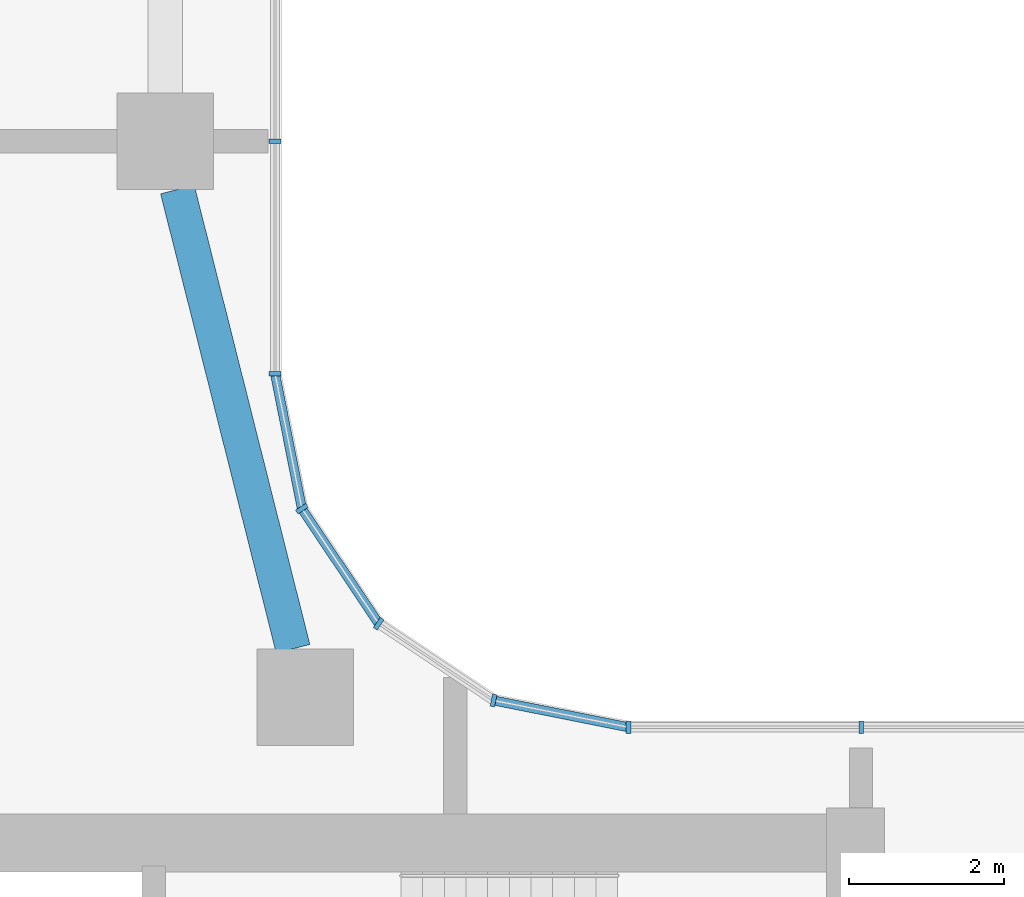
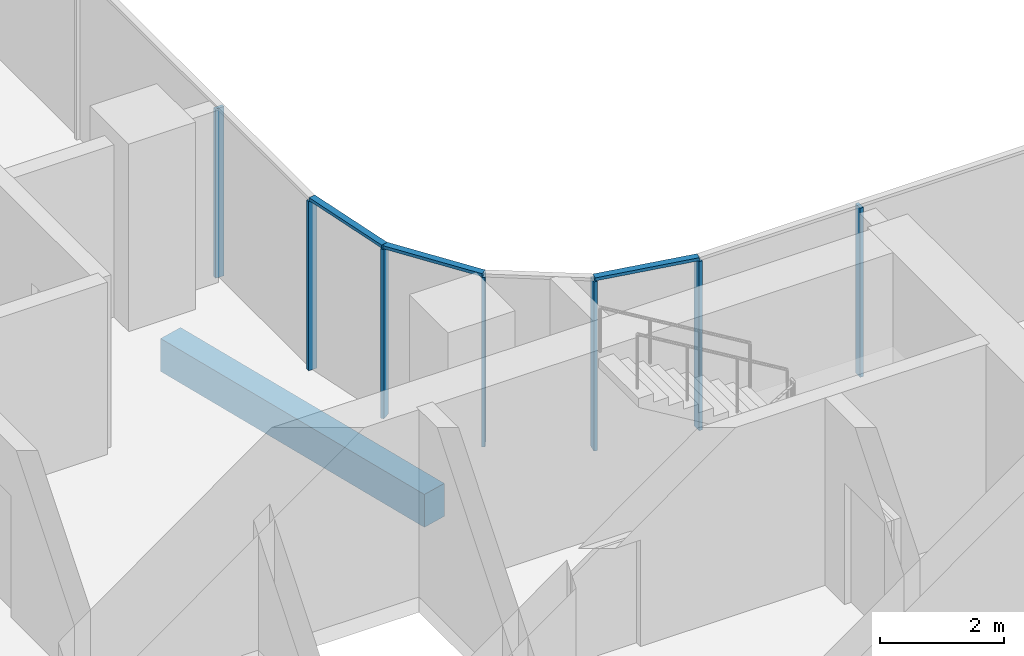
# One storey, part 2 of 22: 10 members, 1 beam, 3 elements without a shape of their own.
"""IFC4 building model written with IfcOpenShell, lengths in metres."""

from ifc_helpers import new_model, si_unit, direction, frame, origin, origin_2d, place, context, subcontext, project, spatial, rectangle, extrude, material, material_profile, profile_set, type_object, element, aggregate, save


model = new_model("IFC4")

# Units and contexts
model_context = context("Model", 3, precision=1e-05, world=origin(), true_north=direction((0.0, 1.0)))
body_context = subcontext(model_context, "Body", "Model", "MODEL_VIEW")
ifc_project = project(units=[si_unit("LENGTHUNIT", "METRE"), si_unit("AREAUNIT", "SQUARE_METRE"), si_unit("VOLUMEUNIT", "CUBIC_METRE"), si_unit("PLANEANGLEUNIT", "RADIAN"), si_unit("MASSUNIT", "GRAM", prefix="KILO")], contexts=[model_context])

# Site, building, storey
site_placement = place(None, origin())
site = spatial("IfcSite", under=ifc_project, at=site_placement, CompositionType="ELEMENT")
building_placement = place(site_placement, origin())
building = spatial("IfcBuilding", under=site, at=building_placement, Name="Ogive Portal Towers", CompositionType="ELEMENT")
storey_placement = place(building_placement, frame((0.0, 0.0, 113.0)))
storey = spatial("IfcBuildingStorey", under=building, at=storey_placement, Name="L27", CompositionType="ELEMENT", Elevation=113.0)

# Curtain wall, members
ifc_material_1 = material(Name="Glass, clear low-iron insulated glazing", Category="glass")
curtain_wall_type = type_object("IfcCurtainWallType", Name="CW FRONT RIBBON 4500", PredefinedType="NOTDEFINED", material=ifc_material_1)
curtain_wall_1_placement = place(storey_placement, origin())
curtain_wall_1 = element("IfcCurtainWall", 1, at=curtain_wall_1_placement, inside=storey, type_object=curtain_wall_type, Name="A:L27:f12:cw0", PredefinedType="NOTDEFINED")
ifc_material_2 = material(Name="Aluminium 6063 anodised", Category="aluminium")
ifc_material_profile_1 = material_profile(ifc_material_2, rectangle(XDim=0.159912109375, YDim=0.06005859375, at=origin_2d()), Name="AL 60x160")
ifc_profile_set_1 = profile_set([ifc_material_profile_1], Name="Aluminium 6063 anodised")
member_type_1 = type_object("IfcMemberType", Name="CW MULLION 60x160", PredefinedType="MULLION", material=ifc_profile_set_1)
member_1_placement = place(storey_placement, frame((58.5, 40.919921875, 0.0), z_axis=(0.0, 0.0, 1.0), x_axis=(0.0, -1.0, 0.0)))
member_1 = element("IfcMember", 2, at=member_1_placement, type_object=member_type_1, Name="mullion", PredefinedType="MULLION", context=body_context, shape_type="SweptSolid", body=[
    extrude(rectangle(XDim=0.159912109375, YDim=0.06005859375, at=origin_2d()), origin(), (0.0, 0.0, 1.0), 3.340087890625),
])
member_2_placement = place(storey_placement, frame((55.4921875, 40.919921875, 0.0), z_axis=(0.0, 0.0, 1.0), x_axis=(0.0, -1.0, 0.0)))
member_2 = element("IfcMember", 3, at=member_2_placement, type_object=member_type_1, Name="mullion", PredefinedType="MULLION", context=body_context, shape_type="SweptSolid", body=[
    extrude(rectangle(XDim=0.159912109375, YDim=0.06005859375, at=origin_2d()), origin(), (0.0, 0.0, 1.0), 3.340087890625),
])
aggregate(curtain_wall_1, [member_1, member_2])

curtain_wall_2_placement = place(storey_placement, origin())
curtain_wall_2 = element("IfcCurtainWall", 4, at=curtain_wall_2_placement, inside=storey, type_object=curtain_wall_type, Name="A:L27:f17:cw0", PredefinedType="NOTDEFINED")
member_3_placement = place(storey_placement, frame((50.919921875, 45.4921875, 0.0), z_axis=(0.0, 0.0, 1.0), x_axis=(-1.0, 0.0, 0.0)))
member_3 = element("IfcMember", 5, at=member_3_placement, type_object=member_type_1, Name="mullion", PredefinedType="MULLION", context=body_context, shape_type="SweptSolid", body=[
    extrude(rectangle(XDim=0.159912109375, YDim=0.06005859375, at=origin_2d()), origin(), (0.0, 0.0, 1.0), 3.340087890625),
])
member_4_placement = place(storey_placement, frame((50.919921875, 48.5, 0.0), z_axis=(0.0, 0.0, 1.0), x_axis=(-1.0, 0.0, 0.0)))
member_4 = element("IfcMember", 6, at=member_4_placement, type_object=member_type_1, Name="mullion", PredefinedType="MULLION", context=body_context, shape_type="SweptSolid", body=[
    extrude(rectangle(XDim=0.159912109375, YDim=0.06005859375, at=origin_2d()), origin(), (0.0, 0.0, 1.0), 3.340087890625),
])
aggregate(curtain_wall_2, [member_3, member_4])

curtain_wall_3_placement = place(storey_placement, origin())
curtain_wall_3 = element("IfcCurtainWall", 7, at=curtain_wall_3_placement, inside=storey, type_object=curtain_wall_type, Name="A:L27:f13:cwa", PredefinedType="NOTDEFINED")
member_5_placement = place(storey_placement, frame((53.746826171875, 41.26708984375, 0.0), z_axis=(0.0, 0.0, 1.0), x_axis=(-0.195090322016, -0.980785280403, 0.0)))
member_5 = element("IfcMember", 8, at=member_5_placement, type_object=member_type_1, Name="mullion", PredefinedType="MULLION", context=body_context, shape_type="SweptSolid", body=[
    extrude(rectangle(XDim=0.159912109375, YDim=0.06005859375, at=origin_2d()), origin(), (0.0, 0.0, 1.0), 3.340087890625),
])
member_6_placement = place(storey_placement, frame((52.26025390625, 42.26025390625, 0.0), z_axis=(0.0, 0.0, 1.0), x_axis=(-0.55557023302, -0.831469612303, 0.0)))
member_6 = element("IfcMember", 9, at=member_6_placement, type_object=member_type_1, Name="mullion", PredefinedType="MULLION", context=body_context, shape_type="SweptSolid", body=[
    extrude(rectangle(XDim=0.159912109375, YDim=0.06005859375, at=origin_2d()), origin(), (0.0, 0.0, 1.0), 3.340087890625),
])
member_7_placement = place(storey_placement, frame((51.26708984375, 43.746826171875, 0.0), z_axis=(0.0, 0.0, 1.0), x_axis=(-0.831469612303, -0.55557023302, 0.0)))
member_7 = element("IfcMember", 10, at=member_7_placement, type_object=member_type_1, Name="mullion", PredefinedType="MULLION", context=body_context, shape_type="SweptSolid", body=[
    extrude(rectangle(XDim=0.159912109375, YDim=0.06005859375, at=origin_2d()), origin(), (0.0, 0.0, 1.0), 3.340087890625),
])
ifc_material_profile_2 = material_profile(ifc_material_2, rectangle(XDim=0.1201171875, YDim=0.06005859375, at=origin_2d()), Name="AL 120x60")
ifc_profile_set_2 = profile_set([ifc_material_profile_2], Name="Aluminium 6063 anodised")
member_type_2 = type_object("IfcMemberType", Name="CW TRANSOM 60x120", PredefinedType="USERDEFINED", material=ifc_profile_set_2)
member_8_placement = place(storey_placement, frame((55.4921875, 40.919921875, 3.3701171875), z_axis=(-0.980785923915, 0.195087086838, 0.0), x_axis=(-0.195087086838, -0.980785923915, 0.0)))
member_8 = element("IfcMember", 11, at=member_8_placement, type_object=member_type_2, Name="transom", ObjectType="TRANSOM", PredefinedType="USERDEFINED", context=body_context, shape_type="SweptSolid", body=[
    extrude(rectangle(XDim=0.1201171875, YDim=0.06005859375, at=origin_2d()), origin(), (0.0, 0.0, 1.0), 1.779541015625),
])
member_9_placement = place(storey_placement, frame((52.26025390625, 42.26025390625, 3.3701171875), z_axis=(-0.555519277244, 0.831503657605, 0.0), x_axis=(-0.831503657605, -0.555519277244, 0.0)))
member_9 = element("IfcMember", 12, at=member_9_placement, type_object=member_type_2, Name="transom", ObjectType="TRANSOM", PredefinedType="USERDEFINED", context=body_context, shape_type="SweptSolid", body=[
    extrude(rectangle(XDim=0.1201171875, YDim=0.06005859375, at=origin_2d()), origin(), (0.0, 0.0, 1.0), 1.787841796875),
])
member_10_placement = place(storey_placement, frame((51.26708984375, 43.746826171875, 3.3701171875), z_axis=(-0.195087086838, 0.980785923915, 0.0), x_axis=(-0.980785923915, -0.195087086838, 0.0)))
member_10 = element("IfcMember", 13, at=member_10_placement, type_object=member_type_2, Name="transom", ObjectType="TRANSOM", PredefinedType="USERDEFINED", context=body_context, shape_type="SweptSolid", body=[
    extrude(rectangle(XDim=0.1201171875, YDim=0.06005859375, at=origin_2d()), origin(), (0.0, 0.0, 1.0), 1.779541015625),
])
aggregate(curtain_wall_3, [member_8, member_9, member_10, member_5, member_6, member_7])

# Beam
ifc_material_3 = material(Name="Concrete C50/60", Category="concrete")
ifc_material_profile_3 = material_profile(ifc_material_3, rectangle(XDim=0.449951171875, YDim=0.64990234375, at=origin_2d()), Name="RC 450x650")
ifc_profile_set_3 = profile_set([ifc_material_profile_3], Name="Concrete C50/60")
beam_type = type_object("IfcBeamType", Name="SPANDREL BEAM RC 450x650", PredefinedType="BEAM", material=ifc_profile_set_3)
beam_placement = place(storey_placement, frame((49.6572265625, 47.875, -0.625), z_axis=(0.24412961337, -0.969742611148, 0.0), x_axis=(0.969742611148, 0.24412961337, 0.0)))
element("IfcBeam", 14, at=beam_placement, inside=storey, type_object=beam_type, Name="Spandrel beam L27", PredefinedType="BEAM", context=body_context, shape_type="SweptSolid", body=[
    extrude(rectangle(XDim=0.449951171875, YDim=0.64990234375, at=origin_2d()), origin(), (0.0, 0.0, 1.0), 6.125244140625),
])

save(model, "model.ifc")
